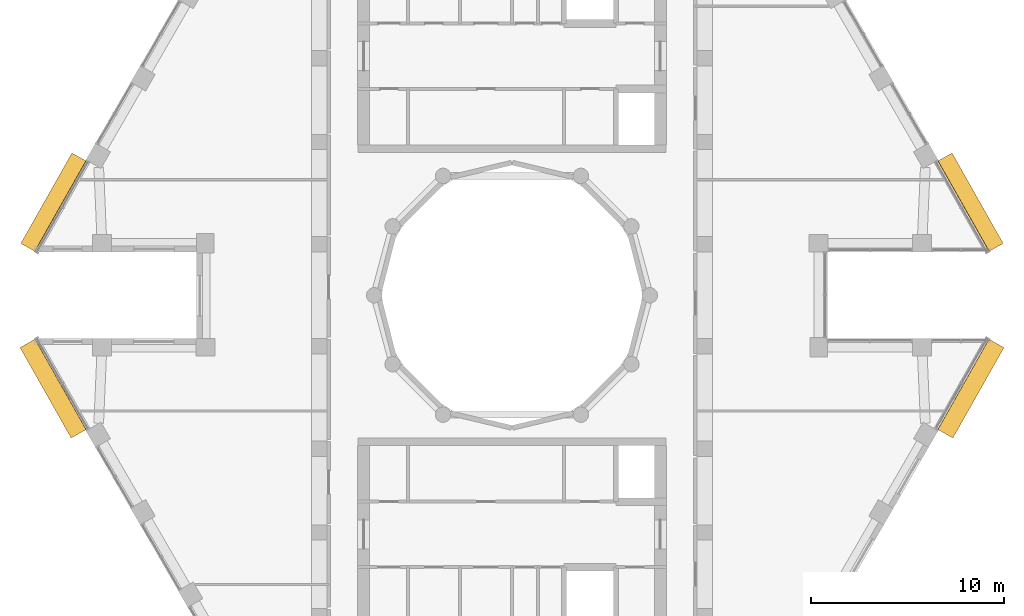
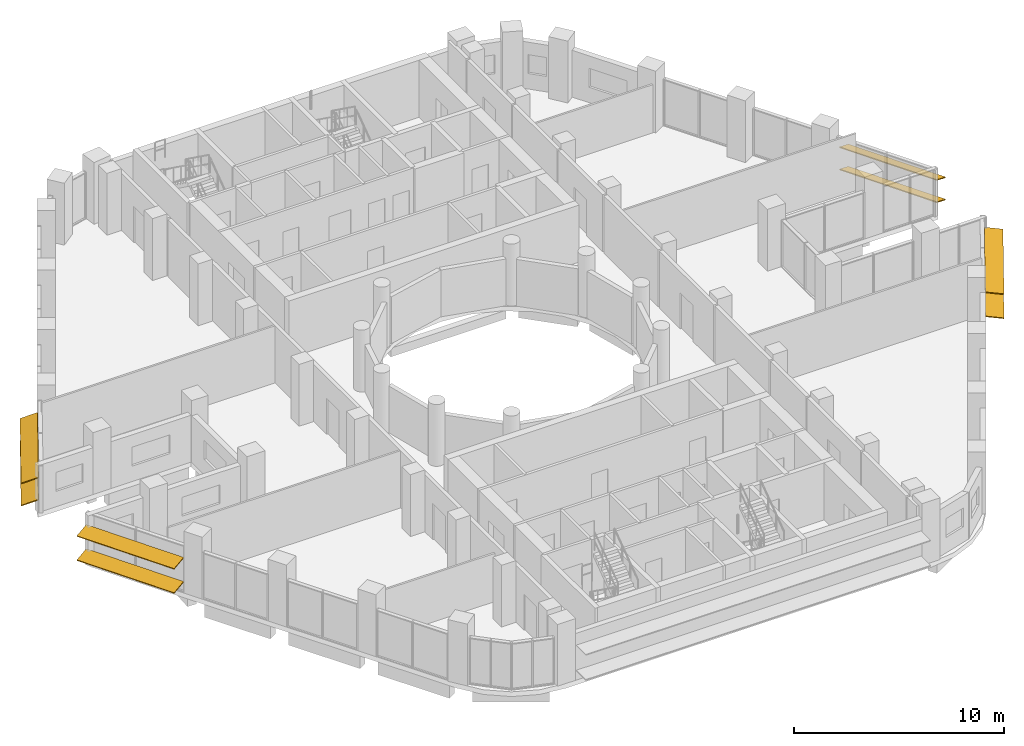
# One storey, part 15 of 16: 8 shading devices.
"""IFC4 building model written with IfcOpenShell, lengths in metres."""

import ifcopenshell
import ifcopenshell.guid

model = None  # the IFC model being written
_history = None  # IfcOwnerHistory: only IFC2X3 demands one
_inside = {}  # id of a spatial element -> (the spatial element, [elements in it])
_under = {}  # id of a project, library or spatial element -> (it, [spatial elements below it])
_declared = {}  # id of a project -> (the project, [libraries it declares])
_typed = {}  # id of a type object -> (the type object, [elements of that type])
_made_of = {}  # id of a material, layer set ... -> (it, [elements and type objects made of it])


def new_model(schema):
    """Start an empty IFC model of exactly this schema.

    Asked for "IFC4X3", IfcOpenShell would pick the latest addendum, in which some entities
    have other attributes; the version numbers below select the first issue.
    IFC2X3 requires an IfcOwnerHistory on every rooted entity: one is made here for all.
    """
    global model, _history
    if schema == "IFC4X3":
        model = ifcopenshell.file(schema_version=(4, 3, 0, 0))
    else:
        model = ifcopenshell.file(schema=schema)
    _inside.clear()
    _under.clear()
    _declared.clear()
    _typed.clear()
    _made_of.clear()
    _history = None
    if model.schema == "IFC2X3":
        org = make("IfcOrganization", Name="unknown")
        user = make(
            "IfcPersonAndOrganization",
            ThePerson=make("IfcPerson", FamilyName="unknown"),
            TheOrganization=org,
        )
        app = make(
            "IfcApplication",
            ApplicationDeveloper=org,
            Version="unknown",
            ApplicationFullName="unknown",
            ApplicationIdentifier="unknown",
        )
        _history = make(
            "IfcOwnerHistory",
            OwningUser=user,
            OwningApplication=app,
            ChangeAction="ADDED",
            CreationDate=0,
        )
    return model


def make(cls, **values):
    """One entity of the class cls with the attributes given. An attribute that is None is left unset."""
    return model.create_entity(
        cls, **{name: value for name, value in values.items() if value is not None}
    )


def rooted(cls, **values):
    """An entity with a GlobalId (a new one), such as an element, a storey or a relation."""
    return make(cls, GlobalId=ifcopenshell.guid.new(), OwnerHistory=_history, **values)


def si_unit(unit_type, name, prefix=None):
    """IfcSIUnit, for example si_unit("LENGTHUNIT", "METRE", prefix="MILLI")."""
    return make("IfcSIUnit", UnitType=unit_type, Prefix=prefix, Name=name)


def assignment(units):
    """IfcUnitAssignment: the units of a project."""
    return None if units is None else make("IfcUnitAssignment", Units=units)


def point(xyz):
    """IfcCartesianPoint."""
    return None if xyz is None else make("IfcCartesianPoint", Coordinates=xyz)


def direction(xyz):
    """IfcDirection."""
    return None if xyz is None else make("IfcDirection", DirectionRatios=xyz)


def frame(location, z_axis=None, x_axis=None):
    """IfcAxis2Placement3D, a coordinate frame: its origin and axes. An axis left out is left unset."""
    return make(
        "IfcAxis2Placement3D",
        Location=point(location),
        Axis=direction(z_axis),
        RefDirection=direction(x_axis),
    )


def frame_2d(location, x_axis=None):
    """IfcAxis2Placement2D, a coordinate frame in the plane: its origin and x axis."""
    return make(
        "IfcAxis2Placement2D", Location=point(location), RefDirection=direction(x_axis)
    )


def origin():
    """The frame at (0, 0, 0) with its axes left unset."""
    return frame((0.0, 0.0, 0.0))


def origin_2d():
    """The frame at (0, 0) in the plane with its x axis left unset."""
    return frame_2d((0.0, 0.0))


def place(relative_to, where):
    """IfcLocalPlacement: puts the frame where relative to a parent placement (None: the world)."""
    return make(
        "IfcLocalPlacement", PlacementRelTo=relative_to, RelativePlacement=where
    )


def context(
    kind, dimensions, precision=None, world=None, true_north=None, identifier=None
):
    """IfcGeometricRepresentationContext, for example the 3D "Model" context."""
    return make(
        "IfcGeometricRepresentationContext",
        ContextIdentifier=identifier,
        ContextType=kind,
        CoordinateSpaceDimension=dimensions,
        Precision=precision,
        WorldCoordinateSystem=world,
        TrueNorth=true_north,
    )


def subcontext(parent, identifier, kind, view, scale=None):
    """IfcGeometricRepresentationSubContext, for example "Body" below "Model"."""
    return make(
        "IfcGeometricRepresentationSubContext",
        ContextIdentifier=identifier,
        ContextType=kind,
        ParentContext=parent,
        TargetScale=scale,
        TargetView=view,
    )


def project(units=None, contexts=None):
    """IfcProject with its units and contexts."""
    return rooted(
        "IfcProject",
        Name="project",
        RepresentationContexts=contexts,
        UnitsInContext=assignment(units),
    )


def spatial(cls, under=None, at=None, **own):
    """A site, building, storey or space (cls), placed at a placement, below another one or the project."""
    s = rooted(cls, ObjectPlacement=at, **own)
    if under is not None:
        _under.setdefault(under.id(), (under, []))[1].append(s)
    return s


def profile(cls, at=None, kind="AREA", **sizes):
    """A parametric profile (cls). Its sizes go by their IFC names, for example OverallWidth=200.0."""
    return make(cls, ProfileType=kind, Position=at, **sizes)


def rectangle(**sizes):
    """IfcRectangleProfileDef."""
    return profile("IfcRectangleProfileDef", **sizes)


def extrude(swept, where, along, depth):
    """IfcExtrudedAreaSolid: the profile swept, set in the frame where, extruded along a direction by depth."""
    return make(
        "IfcExtrudedAreaSolid",
        SweptArea=swept,
        Position=where,
        ExtrudedDirection=direction(along),
        Depth=depth,
    )


def shape(context_of_items, identifier, shape_type, items):
    """IfcShapeRepresentation: the items that make up one representation, for example the "Body"."""
    return make(
        "IfcShapeRepresentation",
        ContextOfItems=context_of_items,
        RepresentationIdentifier=identifier,
        RepresentationType=shape_type,
        Items=items,
    )


def material(Name=None, Category=None):
    """IfcMaterial."""
    return make("IfcMaterial", Name=Name, Category=Category)


def material_profile(
    of_material, cross_section, Name=None, Category=None, Priority=None
):
    """IfcMaterialProfile: a cross section and its material."""
    return make(
        "IfcMaterialProfile",
        Name=Name,
        Material=of_material,
        Profile=cross_section,
        Priority=Priority,
        Category=Category,
    )


def profile_set(profiles, Name=None, composite=None):
    """IfcMaterialProfileSet."""
    return make(
        "IfcMaterialProfileSet",
        Name=Name,
        MaterialProfiles=profiles,
        CompositeProfile=composite,
    )


def made_of(thing, what):
    """Note that an element or type object is made of a material, layer set ...; save() writes the relation."""
    if what is not None:
        _made_of.setdefault(what.id(), (what, []))[1].append(thing)
    return thing


def type_object(cls, material=None, **own):
    """A type object (cls), such as IfcWallType, which elements share."""
    return made_of(rooted(cls, **own), material)


def element(
    cls,
    number,
    at=None,
    inside=None,
    cuts=None,
    type_object=None,
    material=None,
    context=None,
    identifier="Body",
    shape_type=None,
    held_by="IfcProductDefinitionShape",
    body=None,
    shapes=None,
    **own,
):
    """One element of the class cls, such as IfcWall. Its Tag is "e" and its number.

    at: its placement. inside: the storey or other place that contains it. cuts: it is an
    opening in that element (IfcRelVoidsElement). A single representation is given by context,
    identifier, shape_type and body (its items); several are given by shapes. held_by: the class
    of the entity that holds the representations. save() writes the other relations.
    """
    e = rooted(cls, Tag="e%d" % number, ObjectPlacement=at, **own)
    if body is not None:
        shapes = [shape(context, identifier, shape_type, body)]
    if shapes is not None:
        e.Representation = make(held_by, Representations=shapes)
    if inside is not None:
        _inside.setdefault(inside.id(), (inside, []))[1].append(e)
    if cuts is not None:
        rooted(
            "IfcRelVoidsElement", RelatingBuildingElement=cuts, RelatedOpeningElement=e
        )
    if type_object is not None:
        _typed.setdefault(type_object.id(), (type_object, []))[1].append(e)
    return made_of(e, material)


def aggregate(whole, parts):
    """IfcRelAggregates: a whole, such as a stair, and the parts it consists of."""
    return rooted("IfcRelAggregates", RelatingObject=whole, RelatedObjects=parts)


def save(model, path):
    """Write the relations noted so far, then the file.

    IfcRelAggregates (storeys below a building ...), IfcRelContainedInSpatialStructure (elements
    in a storey), IfcRelDefinesByType, IfcRelAssociatesMaterial and IfcRelDeclares: one each for
    every whole, place, type object, material and project.
    """
    for whole, parts in _under.values():
        aggregate(whole, parts)
    for where, things in _inside.values():
        rooted(
            "IfcRelContainedInSpatialStructure",
            RelatedElements=things,
            RelatingStructure=where,
        )
    for kind, things in _typed.values():
        rooted("IfcRelDefinesByType", RelatedObjects=things, RelatingType=kind)
    for what, things in _made_of.values():
        rooted("IfcRelAssociatesMaterial", RelatedObjects=things, RelatingMaterial=what)
    for by, libraries in _declared.values():
        rooted("IfcRelDeclares", RelatingContext=by, RelatedDefinitions=libraries)
    model.write(path)


model = new_model("IFC4")

# Units and contexts
model_context = context("Model", 3, precision=1e-05, world=origin(), true_north=direction((0.0, 1.0)))
body_context = subcontext(model_context, "Body", "Model", "MODEL_VIEW")
ifc_project = project(units=[si_unit("LENGTHUNIT", "METRE"), si_unit("AREAUNIT", "SQUARE_METRE"), si_unit("VOLUMEUNIT", "CUBIC_METRE"), si_unit("PLANEANGLEUNIT", "RADIAN"), si_unit("MASSUNIT", "GRAM", prefix="KILO")], contexts=[model_context])

# Site, building, storey
site_placement = place(None, origin())
site = spatial("IfcSite", under=ifc_project, at=site_placement, CompositionType="ELEMENT")
building_placement = place(site_placement, origin())
building = spatial("IfcBuilding", under=site, at=building_placement, Name="Nakaniwa Court", CompositionType="ELEMENT")
storey_placement = place(building_placement, frame((0.0, 0.0, 272.39990234375)))
storey = spatial("IfcBuildingStorey", under=building, at=storey_placement, Name="C01", CompositionType="ELEMENT", Elevation=272.39990234375)

# Shading devices
ifc_material = material(Name="Perforated charcoal ceramic louvre blade")
ifc_material_profile = material_profile(ifc_material, rectangle(XDim=0.89990234375, YDim=0.050048828125, at=origin_2d()), Name="Perforated ceramic louvre blade")
ifc_profile_set = profile_set([ifc_material_profile], Name="Perforated charcoal ceramic louvre blade")
shading_device_type = type_object("IfcShadingDeviceType", Name="Perforated ceramic louvre blade", PredefinedType="JALOUSIE", material=ifc_profile_set)
for number, where, z_axis, x_axis, name in (
    (1, (105.103515625, 82.480224609375, 0.550048828125), (-0.49215581997, 0.870507121665, 0.0), (-0.804823906567, -0.455020711272, 0.38107037635), "C01 perforated ceramic louvre blade w02 1"),
    (2, (105.103515625, 82.480224609375, 1.845458984375), (-0.49215581997, 0.870507121665, 0.0), (-0.804823906567, -0.455020711272, 0.38107037635), "C01 perforated ceramic louvre blade w02 2"),
    (3, (57.547607421875, 87.16943359375, 0.550048828125), (-0.49215581997, -0.870507121665, 0.0), (0.804823906567, -0.455020711272, 0.38107037635), "C01 perforated ceramic louvre blade w14 1"),
    (4, (57.547607421875, 87.16943359375, 1.845458984375), (-0.49215581997, -0.870507121665, 0.0), (0.804823906567, -0.455020711272, 0.38107037635), "C01 perforated ceramic louvre blade w14 2"),
    (5, (54.875732421875, 77.508056640625, 0.550048828125), (0.49215581997, -0.870507121665, 0.0), (0.862860186894, 0.487832496979, 0.132256390257), "C01 perforated ceramic louvre blade w20 1"),
    (6, (54.875732421875, 77.508056640625, 1.955810546875), (0.49215581997, -0.870507121665, 0.0), (0.862860186894, 0.487832496979, 0.132256390257), "C01 perforated ceramic louvre blade w20 2"),
    (7, (102.47314453125, 72.81884765625, 0.550048828125), (0.49215581997, 0.870507121665, 0.0), (-0.862860186894, 0.487832496979, 0.132256390257), "C01 perforated ceramic louvre blade w32 1"),
    (8, (102.47314453125, 72.81884765625, 1.955810546875), (0.49215581997, 0.870507121665, 0.0), (-0.862860186894, 0.487832496979, 0.132256390257), "C01 perforated ceramic louvre blade w32 2"),
):
    element("IfcShadingDevice", number, at=place(storey_placement, frame(where, z_axis=z_axis, x_axis=x_axis)), inside=storey, type_object=shading_device_type, Name=name, PredefinedType="JALOUSIE", context=body_context, shape_type="SweptSolid", body=[
        extrude(rectangle(XDim=0.89990234375, YDim=0.050048828125, at=origin_2d()), origin(), (0.0, 0.0, 1.0), 5.38671875),
    ])

save(model, "model.ifc")
